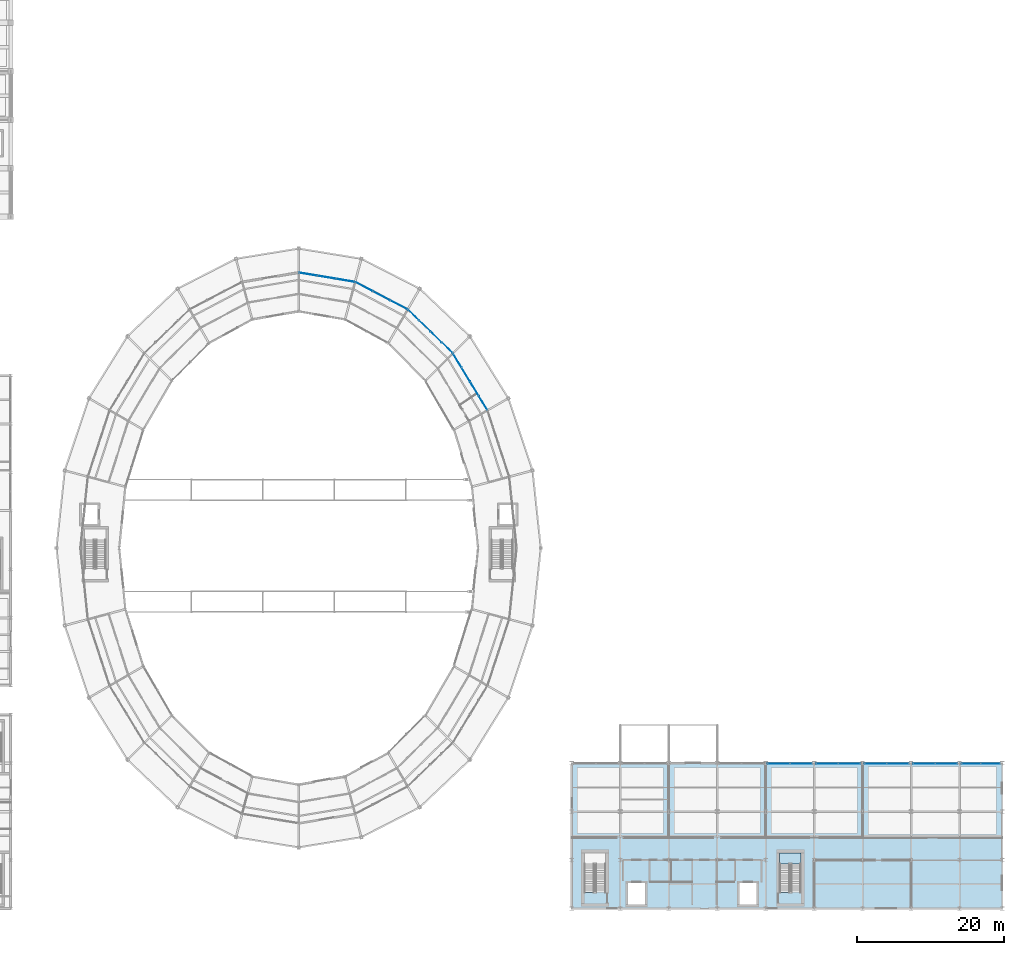
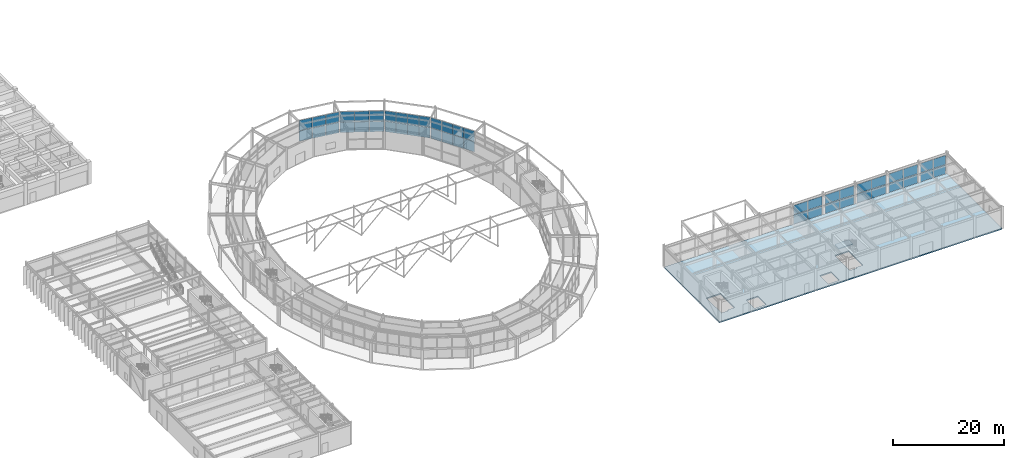
# One storey, part 104 of 144: 48 plates, 2 slabs, 10 elements without a shape of their own.
"""IFC4 building model written with IfcOpenShell, lengths in metres."""

from ifc_helpers import new_model, si_unit, direction, frame, origin, origin_2d, place, context, subcontext, project, spatial, polyline, rectangle, outline, extrude, material, layer, layer_set, type_object, element, aggregate, save


model = new_model("IFC4")

# Units and contexts
model_context = context("Model", 3, precision=1e-05, world=origin(), true_north=direction((0.0, 1.0)))
body_context = subcontext(model_context, "Body", "Model", "MODEL_VIEW")
ifc_project = project(units=[si_unit("LENGTHUNIT", "METRE"), si_unit("AREAUNIT", "SQUARE_METRE"), si_unit("VOLUMEUNIT", "CUBIC_METRE"), si_unit("PLANEANGLEUNIT", "RADIAN"), si_unit("MASSUNIT", "GRAM", prefix="KILO")], contexts=[model_context])

# Site, building, storey
site_placement = place(None, origin())
site = spatial("IfcSite", under=ifc_project, at=site_placement, CompositionType="ELEMENT")
building_placement = place(site_placement, origin())
building = spatial("IfcBuilding", under=site, at=building_placement, Name="Karori Crest Natural Sciences Institute", CompositionType="ELEMENT")
storey_placement = place(building_placement, origin())
storey = spatial("IfcBuildingStorey", under=building, at=storey_placement, Name="L00", CompositionType="ELEMENT", Elevation=0.0)

# Curtain wall, plates
ifc_material_1 = material(Name="Anodised architectural aluminium 6063-T6", Category="aluminium")
curtain_wall_type_1 = type_object("IfcCurtainWallType", Name="CWT-04", PredefinedType="NOTDEFINED", material=ifc_material_1)
curtain_wall_1_placement = place(storey_placement, origin())
curtain_wall_1 = element("IfcCurtainWall", 1, at=curtain_wall_1_placement, inside=storey, type_object=curtain_wall_type_1, Name="Curtain wall CW-0005", PredefinedType="NOTDEFINED")
ifc_material_2 = material(Name="Double low-E laminated glass", Category="glass")
ifc_layer_1 = layer(ifc_material_2, 0.02392578125, Name="Double low-E laminated glass")
ifc_layer_set_1 = layer_set([ifc_layer_1], Name="Double low-E laminated glass")
plate_type_1 = type_object("IfcPlateType", Name="CWP-01", PredefinedType="CURTAIN_PANEL", material=ifc_layer_set_1)
plate_1_placement = place(storey_placement, frame((82.043212890625, 81.607666015625, 0.06005859375), z_axis=(0.0, 0.0, 1.0), x_axis=(0.718197901752, -0.695838899401, 0.0)))
plate_1 = element("IfcPlate", 2, at=plate_1_placement, type_object=plate_type_1, Name="CW-0005 panel 1.1", PredefinedType="CURTAIN_PANEL", context=body_context, shape_type="SweptSolid", body=[
    extrude(rectangle(XDim=2.0185546875, YDim=0.02392578125, at=origin_2d()), origin(), (0.0, 0.0, 1.0), 2.25),
])
plate_2_placement = place(storey_placement, frame((82.043212890625, 81.607666015625, 2.3701171875), z_axis=(0.0, 0.0, 1.0), x_axis=(0.718197901752, -0.695838899401, 0.0)))
plate_2 = element("IfcPlate", 3, at=plate_2_placement, type_object=plate_type_1, Name="CW-0005 panel 1.2", PredefinedType="CURTAIN_PANEL", context=body_context, shape_type="SweptSolid", body=[
    extrude(rectangle(XDim=2.0185546875, YDim=0.02392578125, at=origin_2d()), origin(), (0.0, 0.0, 1.0), 2.25),
])
plate_3_placement = place(storey_placement, frame((83.560302734375, 80.1376953125, 0.06005859375), z_axis=(0.0, 0.0, 1.0), x_axis=(0.718197901752, -0.695838899401, 0.0)))
plate_3 = element("IfcPlate", 4, at=plate_3_placement, type_object=plate_type_1, Name="CW-0005 panel 2.1", PredefinedType="CURTAIN_PANEL", context=body_context, shape_type="SweptSolid", body=[
    extrude(rectangle(XDim=2.05615234375, YDim=0.02392578125, at=origin_2d()), origin(), (0.0, 0.0, 1.0), 2.25),
])
plate_4_placement = place(storey_placement, frame((83.560302734375, 80.1376953125, 2.3701171875), z_axis=(0.0, 0.0, 1.0), x_axis=(0.718197901752, -0.695838899401, 0.0)))
plate_4 = element("IfcPlate", 5, at=plate_4_placement, type_object=plate_type_1, Name="CW-0005 panel 2.2", PredefinedType="CURTAIN_PANEL", context=body_context, shape_type="SweptSolid", body=[
    extrude(rectangle(XDim=2.05615234375, YDim=0.02392578125, at=origin_2d()), origin(), (0.0, 0.0, 1.0), 2.25),
])
plate_5_placement = place(storey_placement, frame((85.0908203125, 78.65478515625, 0.06005859375), z_axis=(0.0, 0.0, 1.0), x_axis=(0.718197901752, -0.695838899401, 0.0)))
plate_5 = element("IfcPlate", 6, at=plate_5_placement, type_object=plate_type_1, Name="CW-0005 panel 3.1", PredefinedType="CURTAIN_PANEL", context=body_context, shape_type="SweptSolid", body=[
    extrude(rectangle(XDim=2.05615234375, YDim=0.02392578125, at=origin_2d()), origin(), (0.0, 0.0, 1.0), 2.25),
])
plate_6_placement = place(storey_placement, frame((85.0908203125, 78.65478515625, 2.3701171875), z_axis=(0.0, 0.0, 1.0), x_axis=(0.718197901752, -0.695838899401, 0.0)))
plate_6 = element("IfcPlate", 7, at=plate_6_placement, type_object=plate_type_1, Name="CW-0005 panel 3.2", PredefinedType="CURTAIN_PANEL", context=body_context, shape_type="SweptSolid", body=[
    extrude(rectangle(XDim=2.05615234375, YDim=0.02392578125, at=origin_2d()), origin(), (0.0, 0.0, 1.0), 2.25),
])
plate_7_placement = place(storey_placement, frame((86.60791015625, 77.184814453125, 0.06005859375), z_axis=(0.0, 0.0, 1.0), x_axis=(0.718197901752, -0.695838899401, 0.0)))
plate_7 = element("IfcPlate", 8, at=plate_7_placement, type_object=plate_type_1, Name="CW-0005 panel 4.1", PredefinedType="CURTAIN_PANEL", context=body_context, shape_type="SweptSolid", body=[
    extrude(rectangle(XDim=2.0185546875, YDim=0.02392578125, at=origin_2d()), origin(), (0.0, 0.0, 1.0), 2.25),
])
plate_8_placement = place(storey_placement, frame((86.60791015625, 77.184814453125, 2.3701171875), z_axis=(0.0, 0.0, 1.0), x_axis=(0.718197901752, -0.695838899401, 0.0)))
plate_8 = element("IfcPlate", 9, at=plate_8_placement, type_object=plate_type_1, Name="CW-0005 panel 4.2", PredefinedType="CURTAIN_PANEL", context=body_context, shape_type="SweptSolid", body=[
    extrude(rectangle(XDim=2.0185546875, YDim=0.02392578125, at=origin_2d()), origin(), (0.0, 0.0, 1.0), 2.25),
])
aggregate(curtain_wall_1, [plate_1, plate_2, plate_3, plate_4, plate_5, plate_6, plate_7, plate_8])

curtain_wall_type_2 = type_object("IfcCurtainWallType", Name="CWT-20", PredefinedType="NOTDEFINED", material=ifc_material_1)
curtain_wall_2_placement = place(storey_placement, origin())
curtain_wall_2 = element("IfcCurtainWall", 10, at=curtain_wall_2_placement, inside=storey, type_object=curtain_wall_type_2, Name="Curtain wall CW-0299", PredefinedType="NOTDEFINED")
plate_9_placement = place(storey_placement, frame((131.790283203125, 20.5400390625, 0.06005859375), z_axis=(0.0, 0.0, 1.0), x_axis=(1.0, 0.0, 0.0)))
plate_9 = element("IfcPlate", 11, at=plate_9_placement, type_object=plate_type_1, Name="CW-0299 panel 1.1", PredefinedType="CURTAIN_PANEL", context=body_context, shape_type="SweptSolid", body=[
    extrude(rectangle(XDim=2.95458984375, YDim=0.02392578125, at=origin_2d()), origin(), (0.0, 0.0, 1.0), 2.012451171875),
])
plate_10_placement = place(storey_placement, frame((131.790283203125, 20.5400390625, 2.13232421875), z_axis=(0.0, 0.0, 1.0), x_axis=(1.0, 0.0, 0.0)))
plate_10 = element("IfcPlate", 12, at=plate_10_placement, type_object=plate_type_1, Name="CW-0299 panel 1.2", PredefinedType="CURTAIN_PANEL", context=body_context, shape_type="SweptSolid", body=[
    extrude(rectangle(XDim=2.95458984375, YDim=0.02392578125, at=origin_2d()), origin(), (0.0, 0.0, 1.0), 2.012451171875),
])
plate_11_placement = place(storey_placement, frame((134.809814453125, 20.5400390625, 0.06005859375), z_axis=(0.0, 0.0, 1.0), x_axis=(1.0, 0.0, 0.0)))
plate_11 = element("IfcPlate", 13, at=plate_11_placement, type_object=plate_type_1, Name="CW-0299 panel 2.1", PredefinedType="CURTAIN_PANEL", context=body_context, shape_type="SweptSolid", body=[
    extrude(rectangle(XDim=2.95458984375, YDim=0.02392578125, at=origin_2d()), origin(), (0.0, 0.0, 1.0), 2.012451171875),
])
plate_12_placement = place(storey_placement, frame((134.809814453125, 20.5400390625, 2.13232421875), z_axis=(0.0, 0.0, 1.0), x_axis=(1.0, 0.0, 0.0)))
plate_12 = element("IfcPlate", 14, at=plate_12_placement, type_object=plate_type_1, Name="CW-0299 panel 2.2", PredefinedType="CURTAIN_PANEL", context=body_context, shape_type="SweptSolid", body=[
    extrude(rectangle(XDim=2.95458984375, YDim=0.02392578125, at=origin_2d()), origin(), (0.0, 0.0, 1.0), 2.012451171875),
])
aggregate(curtain_wall_2, [plate_9, plate_10, plate_11, plate_12])

curtain_wall_3_placement = place(storey_placement, origin())
curtain_wall_3 = element("IfcCurtainWall", 15, at=curtain_wall_3_placement, inside=storey, type_object=curtain_wall_type_2, Name="Curtain wall CW-0300", PredefinedType="NOTDEFINED")
plate_13_placement = place(storey_placement, frame((138.39013671875, 20.5400390625, 0.06005859375), z_axis=(0.0, 0.0, 1.0), x_axis=(1.0, 0.0, 0.0)))
plate_13 = element("IfcPlate", 16, at=plate_13_placement, type_object=plate_type_1, Name="CW-0300 panel 1.1", PredefinedType="CURTAIN_PANEL", context=body_context, shape_type="SweptSolid", body=[
    extrude(rectangle(XDim=2.95458984375, YDim=0.02392578125, at=origin_2d()), origin(), (0.0, 0.0, 1.0), 2.012451171875),
])
plate_14_placement = place(storey_placement, frame((138.39013671875, 20.5400390625, 2.13232421875), z_axis=(0.0, 0.0, 1.0), x_axis=(1.0, 0.0, 0.0)))
plate_14 = element("IfcPlate", 17, at=plate_14_placement, type_object=plate_type_1, Name="CW-0300 panel 1.2", PredefinedType="CURTAIN_PANEL", context=body_context, shape_type="SweptSolid", body=[
    extrude(rectangle(XDim=2.95458984375, YDim=0.02392578125, at=origin_2d()), origin(), (0.0, 0.0, 1.0), 2.012451171875),
])
plate_15_placement = place(storey_placement, frame((141.40966796875, 20.5400390625, 0.06005859375), z_axis=(0.0, 0.0, 1.0), x_axis=(1.0, 0.0, 0.0)))
plate_15 = element("IfcPlate", 18, at=plate_15_placement, type_object=plate_type_1, Name="CW-0300 panel 2.1", PredefinedType="CURTAIN_PANEL", context=body_context, shape_type="SweptSolid", body=[
    extrude(rectangle(XDim=2.95458984375, YDim=0.02392578125, at=origin_2d()), origin(), (0.0, 0.0, 1.0), 2.012451171875),
])
plate_16_placement = place(storey_placement, frame((141.40966796875, 20.5400390625, 2.13232421875), z_axis=(0.0, 0.0, 1.0), x_axis=(1.0, 0.0, 0.0)))
plate_16 = element("IfcPlate", 19, at=plate_16_placement, type_object=plate_type_1, Name="CW-0300 panel 2.2", PredefinedType="CURTAIN_PANEL", context=body_context, shape_type="SweptSolid", body=[
    extrude(rectangle(XDim=2.95458984375, YDim=0.02392578125, at=origin_2d()), origin(), (0.0, 0.0, 1.0), 2.012451171875),
])
aggregate(curtain_wall_3, [plate_13, plate_14, plate_15, plate_16])

curtain_wall_4_placement = place(storey_placement, origin())
curtain_wall_4 = element("IfcCurtainWall", 20, at=curtain_wall_4_placement, inside=storey, type_object=curtain_wall_type_2, Name="Curtain wall CW-0301", PredefinedType="NOTDEFINED")
plate_17_placement = place(storey_placement, frame((144.990234375, 20.5400390625, 0.06005859375), z_axis=(0.0, 0.0, 1.0), x_axis=(1.0, 0.0, 0.0)))
plate_17 = element("IfcPlate", 21, at=plate_17_placement, type_object=plate_type_1, Name="CW-0301 panel 1.1", PredefinedType="CURTAIN_PANEL", context=body_context, shape_type="SweptSolid", body=[
    extrude(rectangle(XDim=2.95458984375, YDim=0.02392578125, at=origin_2d()), origin(), (0.0, 0.0, 1.0), 2.012451171875),
])
plate_18_placement = place(storey_placement, frame((144.990234375, 20.5400390625, 2.13232421875), z_axis=(0.0, 0.0, 1.0), x_axis=(1.0, 0.0, 0.0)))
plate_18 = element("IfcPlate", 22, at=plate_18_placement, type_object=plate_type_1, Name="CW-0301 panel 1.2", PredefinedType="CURTAIN_PANEL", context=body_context, shape_type="SweptSolid", body=[
    extrude(rectangle(XDim=2.95458984375, YDim=0.02392578125, at=origin_2d()), origin(), (0.0, 0.0, 1.0), 2.012451171875),
])
plate_19_placement = place(storey_placement, frame((148.009765625, 20.5400390625, 0.06005859375), z_axis=(0.0, 0.0, 1.0), x_axis=(1.0, 0.0, 0.0)))
plate_19 = element("IfcPlate", 23, at=plate_19_placement, type_object=plate_type_1, Name="CW-0301 panel 2.1", PredefinedType="CURTAIN_PANEL", context=body_context, shape_type="SweptSolid", body=[
    extrude(rectangle(XDim=2.95458984375, YDim=0.02392578125, at=origin_2d()), origin(), (0.0, 0.0, 1.0), 2.012451171875),
])
plate_20_placement = place(storey_placement, frame((148.009765625, 20.5400390625, 2.13232421875), z_axis=(0.0, 0.0, 1.0), x_axis=(1.0, 0.0, 0.0)))
plate_20 = element("IfcPlate", 24, at=plate_20_placement, type_object=plate_type_1, Name="CW-0301 panel 2.2", PredefinedType="CURTAIN_PANEL", context=body_context, shape_type="SweptSolid", body=[
    extrude(rectangle(XDim=2.95458984375, YDim=0.02392578125, at=origin_2d()), origin(), (0.0, 0.0, 1.0), 2.012451171875),
])
aggregate(curtain_wall_4, [plate_17, plate_18, plate_19, plate_20])

curtain_wall_5_placement = place(storey_placement, origin())
curtain_wall_5 = element("IfcCurtainWall", 25, at=curtain_wall_5_placement, inside=storey, type_object=curtain_wall_type_2, Name="Curtain wall CW-0302", PredefinedType="NOTDEFINED")
plate_21_placement = place(storey_placement, frame((151.59033203125, 20.5400390625, 0.06005859375), z_axis=(0.0, 0.0, 1.0), x_axis=(1.0, 0.0, 0.0)))
plate_21 = element("IfcPlate", 26, at=plate_21_placement, type_object=plate_type_1, Name="CW-0302 panel 1.1", PredefinedType="CURTAIN_PANEL", context=body_context, shape_type="SweptSolid", body=[
    extrude(rectangle(XDim=2.95458984375, YDim=0.02392578125, at=origin_2d()), origin(), (0.0, 0.0, 1.0), 2.012451171875),
])
plate_22_placement = place(storey_placement, frame((151.59033203125, 20.5400390625, 2.13232421875), z_axis=(0.0, 0.0, 1.0), x_axis=(1.0, 0.0, 0.0)))
plate_22 = element("IfcPlate", 27, at=plate_22_placement, type_object=plate_type_1, Name="CW-0302 panel 1.2", PredefinedType="CURTAIN_PANEL", context=body_context, shape_type="SweptSolid", body=[
    extrude(rectangle(XDim=2.95458984375, YDim=0.02392578125, at=origin_2d()), origin(), (0.0, 0.0, 1.0), 2.012451171875),
])
plate_23_placement = place(storey_placement, frame((154.60986328125, 20.5400390625, 0.06005859375), z_axis=(0.0, 0.0, 1.0), x_axis=(1.0, 0.0, 0.0)))
plate_23 = element("IfcPlate", 28, at=plate_23_placement, type_object=plate_type_1, Name="CW-0302 panel 2.1", PredefinedType="CURTAIN_PANEL", context=body_context, shape_type="SweptSolid", body=[
    extrude(rectangle(XDim=2.95458984375, YDim=0.02392578125, at=origin_2d()), origin(), (0.0, 0.0, 1.0), 2.012451171875),
])
plate_24_placement = place(storey_placement, frame((154.60986328125, 20.5400390625, 2.13232421875), z_axis=(0.0, 0.0, 1.0), x_axis=(1.0, 0.0, 0.0)))
plate_24 = element("IfcPlate", 29, at=plate_24_placement, type_object=plate_type_1, Name="CW-0302 panel 2.2", PredefinedType="CURTAIN_PANEL", context=body_context, shape_type="SweptSolid", body=[
    extrude(rectangle(XDim=2.95458984375, YDim=0.02392578125, at=origin_2d()), origin(), (0.0, 0.0, 1.0), 2.012451171875),
])
aggregate(curtain_wall_5, [plate_21, plate_22, plate_23, plate_24])

curtain_wall_6_placement = place(storey_placement, origin())
curtain_wall_6 = element("IfcCurtainWall", 30, at=curtain_wall_6_placement, inside=storey, type_object=curtain_wall_type_2, Name="Curtain wall CW-0303", PredefinedType="NOTDEFINED")
plate_25_placement = place(storey_placement, frame((157.990234375, 20.5400390625, 0.06005859375), z_axis=(0.0, 0.0, 1.0), x_axis=(1.0, 0.0, 0.0)))
plate_25 = element("IfcPlate", 31, at=plate_25_placement, type_object=plate_type_1, Name="CW-0303 panel 1.1", PredefinedType="CURTAIN_PANEL", context=body_context, shape_type="SweptSolid", body=[
    extrude(rectangle(XDim=2.554443359375, YDim=0.02392578125, at=origin_2d()), origin(), (0.0, 0.0, 1.0), 2.012451171875),
])
plate_26_placement = place(storey_placement, frame((157.990234375, 20.5400390625, 2.13232421875), z_axis=(0.0, 0.0, 1.0), x_axis=(1.0, 0.0, 0.0)))
plate_26 = element("IfcPlate", 32, at=plate_26_placement, type_object=plate_type_1, Name="CW-0303 panel 1.2", PredefinedType="CURTAIN_PANEL", context=body_context, shape_type="SweptSolid", body=[
    extrude(rectangle(XDim=2.554443359375, YDim=0.02392578125, at=origin_2d()), origin(), (0.0, 0.0, 1.0), 2.012451171875),
])
plate_27_placement = place(storey_placement, frame((160.60986328125, 20.5400390625, 0.06005859375), z_axis=(0.0, 0.0, 1.0), x_axis=(1.0, 0.0, 0.0)))
plate_27 = element("IfcPlate", 33, at=plate_27_placement, type_object=plate_type_1, Name="CW-0303 panel 2.1", PredefinedType="CURTAIN_PANEL", context=body_context, shape_type="SweptSolid", body=[
    extrude(rectangle(XDim=2.554443359375, YDim=0.02392578125, at=origin_2d()), origin(), (0.0, 0.0, 1.0), 2.012451171875),
])
plate_28_placement = place(storey_placement, frame((160.60986328125, 20.5400390625, 2.13232421875), z_axis=(0.0, 0.0, 1.0), x_axis=(1.0, 0.0, 0.0)))
plate_28 = element("IfcPlate", 34, at=plate_28_placement, type_object=plate_type_1, Name="CW-0303 panel 2.2", PredefinedType="CURTAIN_PANEL", context=body_context, shape_type="SweptSolid", body=[
    extrude(rectangle(XDim=2.554443359375, YDim=0.02392578125, at=origin_2d()), origin(), (0.0, 0.0, 1.0), 2.012451171875),
])
aggregate(curtain_wall_6, [plate_25, plate_26, plate_27, plate_28])

curtain_wall_type_3 = type_object("IfcCurtainWallType", Name="CWT-05", PredefinedType="NOTDEFINED", material=ifc_material_1)
curtain_wall_7_placement = place(storey_placement, origin())
curtain_wall_7 = element("IfcCurtainWall", 35, at=curtain_wall_7_placement, inside=storey, type_object=curtain_wall_type_3, Name="Curtain wall CW-0006", PredefinedType="NOTDEFINED")
ifc_layer_2 = layer(ifc_material_2, 0.033935546875, Name="Double low-E laminated glass")
ifc_layer_set_2 = layer_set([ifc_layer_2], Name="Double low-E laminated glass")
plate_type_2 = type_object("IfcPlateType", Name="CWP-02", PredefinedType="CURTAIN_PANEL", material=ifc_layer_set_2)
plate_29_placement = place(storey_placement, frame((75.30908203125, 85.48291015625, 0.06494140625), z_axis=(0.0, 0.0, 1.0), x_axis=(0.88613575858, -0.46342574094, 0.0)))
plate_29 = element("IfcPlate", 36, at=plate_29_placement, type_object=plate_type_2, Name="CW-0006 panel 1.1", PredefinedType="CURTAIN_PANEL", context=body_context, shape_type="SweptSolid", body=[
    extrude(rectangle(XDim=2.568603515625, YDim=0.033935546875, at=origin_2d()), origin(), (0.0, 0.0, 1.0), 2.242431640625),
])
plate_30_placement = place(storey_placement, frame((75.30908203125, 85.48291015625, 2.37255859375), z_axis=(0.0, 0.0, 1.0), x_axis=(0.88613575858, -0.46342574094, 0.0)))
plate_30 = element("IfcPlate", 37, at=plate_30_placement, type_object=plate_type_2, Name="CW-0006 panel 1.2", PredefinedType="CURTAIN_PANEL", context=body_context, shape_type="SweptSolid", body=[
    extrude(rectangle(XDim=2.568603515625, YDim=0.033935546875, at=origin_2d()), origin(), (0.0, 0.0, 1.0), 2.242431640625),
])
plate_31_placement = place(storey_placement, frame((77.66845703125, 84.2490234375, 0.06494140625), z_axis=(0.0, 0.0, 1.0), x_axis=(0.88613575858, -0.46342574094, 0.0)))
plate_31 = element("IfcPlate", 38, at=plate_31_placement, type_object=plate_type_2, Name="CW-0006 panel 2.1", PredefinedType="CURTAIN_PANEL", context=body_context, shape_type="SweptSolid", body=[
    extrude(rectangle(XDim=2.606201171875, YDim=0.033935546875, at=origin_2d()), origin(), (0.0, 0.0, 1.0), 2.242431640625),
])
plate_32_placement = place(storey_placement, frame((77.66845703125, 84.2490234375, 2.37255859375), z_axis=(0.0, 0.0, 1.0), x_axis=(0.88613575858, -0.46342574094, 0.0)))
plate_32 = element("IfcPlate", 39, at=plate_32_placement, type_object=plate_type_2, Name="CW-0006 panel 2.2", PredefinedType="CURTAIN_PANEL", context=body_context, shape_type="SweptSolid", body=[
    extrude(rectangle(XDim=2.606201171875, YDim=0.033935546875, at=origin_2d()), origin(), (0.0, 0.0, 1.0), 2.242431640625),
])
plate_33_placement = place(storey_placement, frame((80.02783203125, 83.01513671875, 0.06494140625), z_axis=(0.0, 0.0, 1.0), x_axis=(0.88613575858, -0.46342574094, 0.0)))
plate_33 = element("IfcPlate", 40, at=plate_33_placement, type_object=plate_type_2, Name="CW-0006 panel 3.1", PredefinedType="CURTAIN_PANEL", context=body_context, shape_type="SweptSolid", body=[
    extrude(rectangle(XDim=2.568603515625, YDim=0.033935546875, at=origin_2d()), origin(), (0.0, 0.0, 1.0), 2.242431640625),
])
plate_34_placement = place(storey_placement, frame((80.02783203125, 83.01513671875, 2.37255859375), z_axis=(0.0, 0.0, 1.0), x_axis=(0.88613575858, -0.46342574094, 0.0)))
plate_34 = element("IfcPlate", 41, at=plate_34_placement, type_object=plate_type_2, Name="CW-0006 panel 3.2", PredefinedType="CURTAIN_PANEL", context=body_context, shape_type="SweptSolid", body=[
    extrude(rectangle(XDim=2.568603515625, YDim=0.033935546875, at=origin_2d()), origin(), (0.0, 0.0, 1.0), 2.242431640625),
])
aggregate(curtain_wall_7, [plate_29, plate_30, plate_31, plate_32, plate_33, plate_34])

curtain_wall_type_4 = type_object("IfcCurtainWallType", Name="CWT-03", PredefinedType="NOTDEFINED", material=ifc_material_1)
curtain_wall_8_placement = place(storey_placement, origin())
curtain_wall_8 = element("IfcCurtainWall", 42, at=curtain_wall_8_placement, inside=storey, type_object=curtain_wall_type_4, Name="Curtain wall CW-0003", PredefinedType="NOTDEFINED")
ifc_layer_3 = layer(ifc_material_2, 0.0439453125, Name="Double low-E laminated glass")
ifc_layer_set_3 = layer_set([ifc_layer_3], Name="Double low-E laminated glass")
plate_type_3 = type_object("IfcPlateType", Name="CWP-03", PredefinedType="CURTAIN_PANEL", material=ifc_layer_set_3)
plate_35_placement = place(storey_placement, frame((88.008544921875, 75.416748046875, 0.06494140625), z_axis=(0.0, 0.0, 1.0), x_axis=(0.519340606905, -0.854567337323, 0.0)))
plate_35 = element("IfcPlate", 43, at=plate_35_placement, type_object=plate_type_3, Name="CW-0003 panel 1.1", PredefinedType="CURTAIN_PANEL", context=body_context, shape_type="SweptSolid", body=[
    extrude(rectangle(XDim=2.149658203125, YDim=0.0439453125, at=origin_2d()), origin(), (0.0, 0.0, 1.0), 2.242431640625),
])
plate_36_placement = place(storey_placement, frame((88.008544921875, 75.416748046875, 2.37255859375), z_axis=(0.0, 0.0, 1.0), x_axis=(0.519340606905, -0.854567337323, 0.0)))
plate_36 = element("IfcPlate", 44, at=plate_36_placement, type_object=plate_type_3, Name="CW-0003 panel 1.2", PredefinedType="CURTAIN_PANEL", context=body_context, shape_type="SweptSolid", body=[
    extrude(rectangle(XDim=2.149658203125, YDim=0.0439453125, at=origin_2d()), origin(), (0.0, 0.0, 1.0), 2.242431640625),
])
plate_37_placement = place(storey_placement, frame((89.173583984375, 73.499755859375, 0.06494140625), z_axis=(0.0, 0.0, 1.0), x_axis=(0.519340606905, -0.854567337323, 0.0)))
plate_37 = element("IfcPlate", 45, at=plate_37_placement, type_object=plate_type_3, Name="CW-0003 panel 2.1", PredefinedType="CURTAIN_PANEL", context=body_context, shape_type="SweptSolid", body=[
    extrude(rectangle(XDim=2.18701171875, YDim=0.0439453125, at=origin_2d()), origin(), (0.0, 0.0, 1.0), 2.242431640625),
])
plate_38_placement = place(storey_placement, frame((89.173583984375, 73.499755859375, 2.37255859375), z_axis=(0.0, 0.0, 1.0), x_axis=(0.519340606905, -0.854567337323, 0.0)))
plate_38 = element("IfcPlate", 46, at=plate_38_placement, type_object=plate_type_3, Name="CW-0003 panel 2.2", PredefinedType="CURTAIN_PANEL", context=body_context, shape_type="SweptSolid", body=[
    extrude(rectangle(XDim=2.18701171875, YDim=0.0439453125, at=origin_2d()), origin(), (0.0, 0.0, 1.0), 2.242431640625),
])
plate_39_placement = place(storey_placement, frame((90.348388671875, 71.566650390625, 0.06494140625), z_axis=(0.0, 0.0, 1.0), x_axis=(0.519340606905, -0.854567337323, 0.0)))
plate_39 = element("IfcPlate", 47, at=plate_39_placement, type_object=plate_type_3, Name="CW-0003 panel 3.1", PredefinedType="CURTAIN_PANEL", context=body_context, shape_type="SweptSolid", body=[
    extrude(rectangle(XDim=2.18701171875, YDim=0.0439453125, at=origin_2d()), origin(), (0.0, 0.0, 1.0), 2.242431640625),
])
plate_40_placement = place(storey_placement, frame((90.348388671875, 71.566650390625, 2.37255859375), z_axis=(0.0, 0.0, 1.0), x_axis=(0.519340606905, -0.854567337323, 0.0)))
plate_40 = element("IfcPlate", 48, at=plate_40_placement, type_object=plate_type_3, Name="CW-0003 panel 3.2", PredefinedType="CURTAIN_PANEL", context=body_context, shape_type="SweptSolid", body=[
    extrude(rectangle(XDim=2.18701171875, YDim=0.0439453125, at=origin_2d()), origin(), (0.0, 0.0, 1.0), 2.242431640625),
])
plate_41_placement = place(storey_placement, frame((91.513427734375, 69.649658203125, 0.06494140625), z_axis=(0.0, 0.0, 1.0), x_axis=(0.519340606905, -0.854567337323, 0.0)))
plate_41 = element("IfcPlate", 49, at=plate_41_placement, type_object=plate_type_3, Name="CW-0003 panel 4.1", PredefinedType="CURTAIN_PANEL", context=body_context, shape_type="SweptSolid", body=[
    extrude(rectangle(XDim=2.149658203125, YDim=0.0439453125, at=origin_2d()), origin(), (0.0, 0.0, 1.0), 2.242431640625),
])
plate_42_placement = place(storey_placement, frame((91.513427734375, 69.649658203125, 2.37255859375), z_axis=(0.0, 0.0, 1.0), x_axis=(0.519340606905, -0.854567337323, 0.0)))
plate_42 = element("IfcPlate", 50, at=plate_42_placement, type_object=plate_type_3, Name="CW-0003 panel 4.2", PredefinedType="CURTAIN_PANEL", context=body_context, shape_type="SweptSolid", body=[
    extrude(rectangle(XDim=2.149658203125, YDim=0.0439453125, at=origin_2d()), origin(), (0.0, 0.0, 1.0), 2.242431640625),
])
aggregate(curtain_wall_8, [plate_35, plate_36, plate_37, plate_38, plate_39, plate_40, plate_41, plate_42])

curtain_wall_type_5 = type_object("IfcCurtainWallType", Name="CWT-06", PredefinedType="NOTDEFINED", material=ifc_material_1)
curtain_wall_9_placement = place(storey_placement, origin())
curtain_wall_9 = element("IfcCurtainWall", 51, at=curtain_wall_9_placement, inside=storey, type_object=curtain_wall_type_5, Name="Curtain wall CW-0008", PredefinedType="NOTDEFINED")
plate_43_placement = place(storey_placement, frame((67.712890625, 87.181640625, 0.06005859375), z_axis=(0.0, 0.0, 1.0), x_axis=(0.986464603597, -0.1639743451, 0.0)))
plate_43 = element("IfcPlate", 52, at=plate_43_placement, type_object=plate_type_3, Name="CW-0008 panel 1.1", PredefinedType="CURTAIN_PANEL", context=body_context, shape_type="SweptSolid", body=[
    extrude(rectangle(XDim=2.4716796875, YDim=0.0439453125, at=origin_2d()), origin(), (0.0, 0.0, 1.0), 2.25),
])
plate_44_placement = place(storey_placement, frame((67.712890625, 87.181640625, 2.3701171875), z_axis=(0.0, 0.0, 1.0), x_axis=(0.986464603597, -0.1639743451, 0.0)))
plate_44 = element("IfcPlate", 53, at=plate_44_placement, type_object=plate_type_3, Name="CW-0008 panel 1.2", PredefinedType="CURTAIN_PANEL", context=body_context, shape_type="SweptSolid", body=[
    extrude(rectangle(XDim=2.4716796875, YDim=0.0439453125, at=origin_2d()), origin(), (0.0, 0.0, 1.0), 2.25),
])
plate_45_placement = place(storey_placement, frame((70.243408203125, 86.760986328125, 0.06005859375), z_axis=(0.0, 0.0, 1.0), x_axis=(0.986464603597, -0.1639743451, 0.0)))
plate_45 = element("IfcPlate", 54, at=plate_45_placement, type_object=plate_type_3, Name="CW-0008 panel 2.1", PredefinedType="CURTAIN_PANEL", context=body_context, shape_type="SweptSolid", body=[
    extrude(rectangle(XDim=2.509033203125, YDim=0.0439453125, at=origin_2d()), origin(), (0.0, 0.0, 1.0), 2.25),
])
plate_46_placement = place(storey_placement, frame((70.243408203125, 86.760986328125, 2.3701171875), z_axis=(0.0, 0.0, 1.0), x_axis=(0.986464603597, -0.1639743451, 0.0)))
plate_46 = element("IfcPlate", 55, at=plate_46_placement, type_object=plate_type_3, Name="CW-0008 panel 2.2", PredefinedType="CURTAIN_PANEL", context=body_context, shape_type="SweptSolid", body=[
    extrude(rectangle(XDim=2.509033203125, YDim=0.0439453125, at=origin_2d()), origin(), (0.0, 0.0, 1.0), 2.25),
])
plate_47_placement = place(storey_placement, frame((72.774169921875, 86.34033203125, 0.06005859375), z_axis=(0.0, 0.0, 1.0), x_axis=(0.986464603597, -0.1639743451, 0.0)))
plate_47 = element("IfcPlate", 56, at=plate_47_placement, type_object=plate_type_3, Name="CW-0008 panel 3.1", PredefinedType="CURTAIN_PANEL", context=body_context, shape_type="SweptSolid", body=[
    extrude(rectangle(XDim=2.4716796875, YDim=0.0439453125, at=origin_2d()), origin(), (0.0, 0.0, 1.0), 2.25),
])
plate_48_placement = place(storey_placement, frame((72.774169921875, 86.34033203125, 2.3701171875), z_axis=(0.0, 0.0, 1.0), x_axis=(0.986464603597, -0.1639743451, 0.0)))
plate_48 = element("IfcPlate", 57, at=plate_48_placement, type_object=plate_type_3, Name="CW-0008 panel 3.2", PredefinedType="CURTAIN_PANEL", context=body_context, shape_type="SweptSolid", body=[
    extrude(rectangle(XDim=2.4716796875, YDim=0.0439453125, at=origin_2d()), origin(), (0.0, 0.0, 1.0), 2.25),
])
aggregate(curtain_wall_9, [plate_43, plate_44, plate_45, plate_46, plate_47, plate_48])

# Slab
ifc_material_3 = material(Name="Concrete 40 MPa", Category="concrete")
ifc_layer_4 = layer(ifc_material_3, 0.260009765625, Name="Concrete 40 MPa")
ifc_layer_set_4 = layer_set([ifc_layer_4], Name="Concrete 40 MPa")
slab_type_1 = type_object("IfcSlabType", Name="SLT-05", PredefinedType="FLOOR", material=ifc_layer_set_4)
slab_1_placement = place(storey_placement, frame((0.0, 0.0, -0.260009765625)))
element("IfcSlab", 58, at=slab_1_placement, inside=storey, type_object=slab_type_1, Name="V5 Slab SL-0163", PredefinedType="FLOOR", context=body_context, shape_type="SweptSolid", body=[
    extrude(outline(polyline([(103.60009765625, 0.800048828125), (162.199951171875, 0.800048828125), (162.199951171875, 20.60009765625), (103.60009765625, 20.60009765625), (103.60009765625, 0.800048828125)]), holes=[polyline([(108.199951171875, 3.280029296875), (106.75, 3.280029296875), (106.75, 3.00048828125), (105.300048828125, 3.00048828125), (105.300048828125, 8.39990234375), (108.199951171875, 8.39990234375), (108.199951171875, 3.280029296875)]), polyline([(134.800048828125, 3.280029296875), (133.35009765625, 3.280029296875), (133.35009765625, 3.00048828125), (131.89990234375, 3.00048828125), (131.89990234375, 8.39990234375), (134.800048828125, 8.39990234375), (134.800048828125, 3.280029296875)]), polyline([(111.199951171875, 4.300048828125), (113.60009765625, 4.300048828125), (113.60009765625, 1.300048828125), (111.199951171875, 1.300048828125), (111.199951171875, 4.300048828125)]), polyline([(126.39990234375, 4.300048828125), (128.800048828125, 4.300048828125), (128.800048828125, 1.300048828125), (126.39990234375, 1.300048828125), (126.39990234375, 4.300048828125)])]), origin(), (0.0, 0.0, 1.0), 0.260009765625),
])

# Stair, slab
stair_type = type_object("IfcStairType", Name="STT-02", PredefinedType="HALF_TURN_STAIR", material=ifc_material_3)
stair_placement = place(storey_placement, origin())
stair = element("IfcStair", 59, at=stair_placement, inside=storey, type_object=stair_type, Name="Protected stair ST-04-L00", PredefinedType="HALF_TURN_STAIR")
ifc_layer_5 = layer(ifc_material_3, 0.2099609375, Name="Concrete 40 MPa")
ifc_layer_set_5 = layer_set([ifc_layer_5], Name="Concrete 40 MPa")
slab_type_2 = type_object("IfcSlabType", Name="SLT-11", PredefinedType="LANDING", material=ifc_layer_set_5)
slab_2_placement = place(storey_placement, frame((0.0, 0.0, 2.239990234375)))
slab_2 = element("IfcSlab", 60, at=slab_2_placement, type_object=slab_type_2, Name="ST-04-L00 landing 1", PredefinedType="LANDING", context=body_context, shape_type="SweptSolid", body=[
    extrude(outline(polyline([(134.800048828125, 6.89990234375), (134.800048828125, 8.39990234375), (131.89990234375, 8.39990234375), (131.89990234375, 6.89990234375), (134.800048828125, 6.89990234375)])), origin(), (0.0, 0.0, 1.0), 0.2099609375),
])
aggregate(stair, [slab_2])

save(model, "model.ifc")
